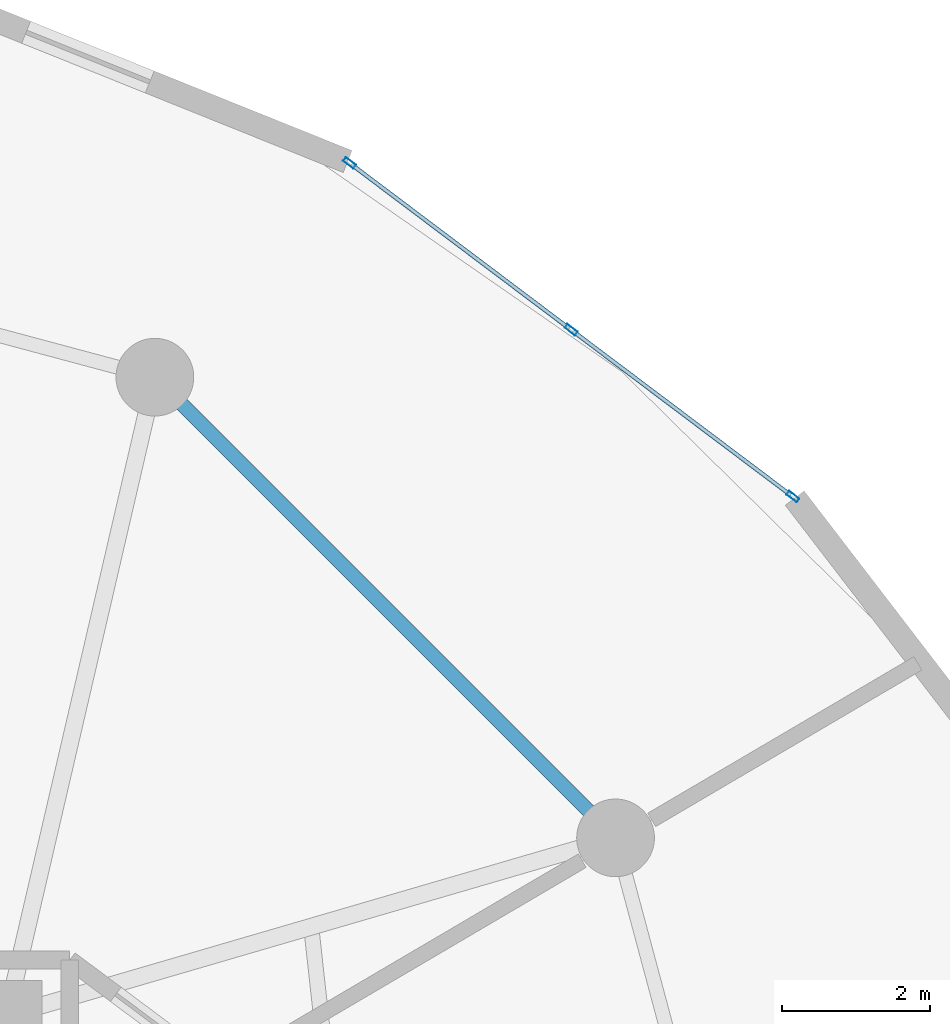
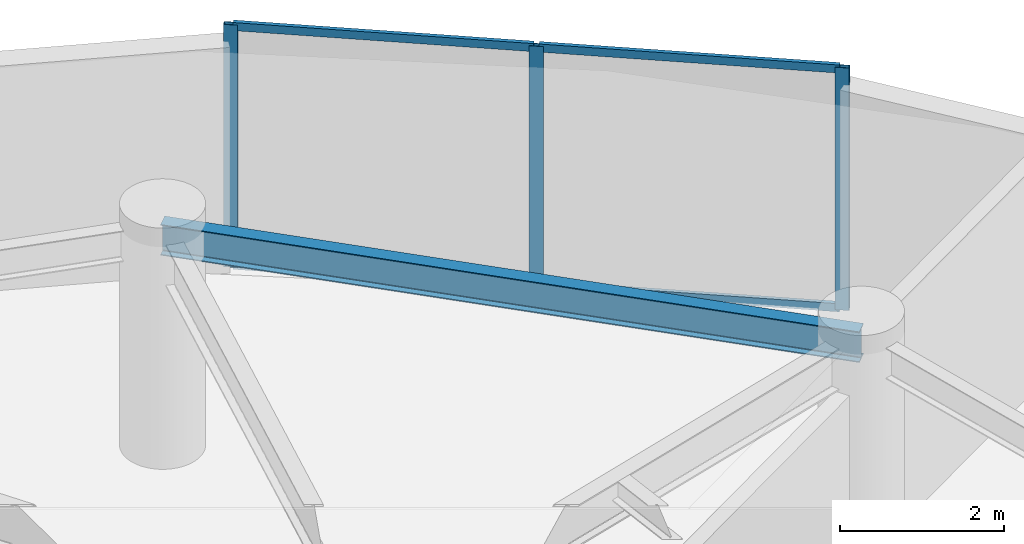
# One storey, part 19 of 25: 7 members, 1 beam, 1 element without a shape of its own.
"""IFC4 building model written with IfcOpenShell, lengths in metres."""

from ifc_helpers import new_model, si_unit, direction, frame, origin, origin_2d, place, context, subcontext, project, spatial, hollow_rectangle, i_section, extrude, source, transform, mapped, material, layer, layer_set, material_profile, profile_set, type_object, element, aggregate, save


model = new_model("IFC4")

# Units and contexts
model_context = context("Model", 3, precision=1e-05, world=origin(), true_north=direction((0.0, 1.0)))
body_context = subcontext(model_context, "Body", "Model", "MODEL_VIEW")
ifc_project = project(units=[si_unit("LENGTHUNIT", "METRE"), si_unit("AREAUNIT", "SQUARE_METRE"), si_unit("VOLUMEUNIT", "CUBIC_METRE"), si_unit("PLANEANGLEUNIT", "RADIAN"), si_unit("MASSUNIT", "GRAM", prefix="KILO")], contexts=[model_context])

# Site, building, storey
site_placement = place(None, origin())
site = spatial("IfcSite", under=ifc_project, at=site_placement, CompositionType="ELEMENT")
building_placement = place(site_placement, origin())
building = spatial("IfcBuilding", under=site, at=building_placement, Name="Solvirekh Grand Hotel", CompositionType="ELEMENT")
storey_placement = place(building_placement, frame((0.0, 0.0, 106.199951171875)))
storey = spatial("IfcBuildingStorey", under=building, at=storey_placement, Name="L26", CompositionType="ELEMENT", Elevation=106.199951171875)

# Beam
ifc_material_1 = material(Name="Steel S355", Category="steel")
ifc_material_profile_1 = material_profile(ifc_material_1, i_section(OverallWidth=0.18994140625, OverallDepth=0.45703125, WebThickness=0.009033203125, FlangeThickness=0.013916015625, FilletRadius=0.012939453125, at=origin_2d()), Name="W460X74")
ifc_profile_set_1 = profile_set([ifc_material_profile_1], Name="Steel S355")
beam_type = type_object("IfcBeamType", Name="Spandrel_Ring_W460", PredefinedType="SPANDREL", material=ifc_profile_set_1)
beam_placement = place(storey_placement, frame((14.721923828125, 8.5, 3.1220703125), z_axis=(-0.707106781187, 0.707106781187, 0.0), x_axis=(-0.707106781187, -0.707106781187, 0.0)))
element("IfcBeam", 1, at=beam_placement, inside=storey, type_object=beam_type, Name="L26 perimeter spandrel beam 2", PredefinedType="SPANDREL", context=body_context, shape_type="SweptSolid", body=[
    extrude(i_section(OverallWidth=0.18994140625, OverallDepth=0.45703125, WebThickness=0.009033203125, FlangeThickness=0.013916015625, FilletRadius=0.012939453125, at=origin_2d()), origin(), (0.0, 0.0, 1.0), 8.799072265625),
])

# Curtain wall, members
ifc_material_2 = material(Name="Anodized Bronze Aluminium 6063-T6", Category="aluminium")
ifc_layer = layer(ifc_material_2, 0.175048828125)
ifc_layer_set = layer_set([ifc_layer], Name="Anodized Bronze Aluminium 6063-T6")
curtain_wall_type = type_object("IfcCurtainWallType", Name="CW_Sys3_MidZoneFlushBronzeCW", PredefinedType="NOTDEFINED", material=ifc_layer_set)
curtain_wall_placement = place(storey_placement, origin())
curtain_wall = element("IfcCurtainWall", 2, at=curtain_wall_placement, inside=storey, type_object=curtain_wall_type, Name="L26 unitised bronze-glass curtain wall CW-L26-C05", PredefinedType="NOTDEFINED")
ifc_material_profile_2 = material_profile(ifc_material_2, hollow_rectangle(XDim=0.054931640625, YDim=0.1201171875, WallThickness=0.00390625, at=origin_2d()), Name="ALU RHS 120X55X4")
ifc_profile_set_2 = profile_set([ifc_material_profile_2], Name="Anodized Bronze Aluminium 6063-T6")
member_type_1 = type_object("IfcMemberType", Name="CWTransom_Sys3", PredefinedType="USERDEFINED", material=ifc_profile_set_2)
shared_shape_1 = source(origin(), body_context, "Body", "SweptSolid", [
    extrude(hollow_rectangle(XDim=0.054931640625, YDim=0.1201171875, WallThickness=0.00390625, at=origin_2d()), origin(), (0.0, 0.0, 1.0), 3.681884765625),
])
member_1_placement = place(storey_placement, frame((17.090087890625, 13.128173828125, 0.027587890625), z_axis=(-0.798940486048, 0.601410092826, 0.0), x_axis=(-0.601410092826, -0.798940486048, 0.0)))
member_1 = element("IfcMember", 3, at=member_1_placement, type_object=member_type_1, Name="U03 transom 1.1", ObjectType="TRANSOM", PredefinedType="USERDEFINED", context=body_context, shape_type="MappedRepresentation", body=[
    mapped(shared_shape_1, transform((0.0, 0.0, 0.0), x_axis=(1.0, 0.0, 0.0), y_axis=(0.0, 1.0, 0.0), z_axis=(0.0, 0.0, 1.0), scale=1.0)),
])
member_2_placement = place(storey_placement, frame((17.090087890625, 13.128173828125, 3.572509765625), z_axis=(-0.798940486048, 0.601410092826, 0.0), x_axis=(-0.601410092826, -0.798940486048, 0.0)))
member_2 = element("IfcMember", 4, at=member_2_placement, type_object=member_type_1, Name="U03 transom 1.2", ObjectType="TRANSOM", PredefinedType="USERDEFINED", context=body_context, shape_type="MappedRepresentation", body=[
    mapped(shared_shape_1, transform((0.0, 0.0, 0.0), x_axis=(1.0, 0.0, 0.0), y_axis=(0.0, 1.0, 0.0), z_axis=(0.0, 0.0, 1.0), scale=1.0)),
])
shared_shape_2 = source(origin(), body_context, "Body", "SweptSolid", [
    extrude(hollow_rectangle(XDim=0.054931640625, YDim=0.1201171875, WallThickness=0.00390625, at=origin_2d()), origin(), (0.0, 0.0, 1.0), 3.681640625),
])
member_3_placement = place(storey_placement, frame((14.096435546875, 15.381591796875, 0.027587890625), z_axis=(-0.798916501068, 0.601441954241, 0.0), x_axis=(-0.601441954241, -0.798916501068, 0.0)))
member_3 = element("IfcMember", 5, at=member_3_placement, type_object=member_type_1, Name="U03 transom 2.1", ObjectType="TRANSOM", PredefinedType="USERDEFINED", context=body_context, shape_type="MappedRepresentation", body=[
    mapped(shared_shape_2, transform((0.0, 0.0, 0.0), x_axis=(1.0, 0.0, 0.0), y_axis=(0.0, 1.0, 0.0), z_axis=(0.0, 0.0, 1.0), scale=1.0)),
])
member_4_placement = place(storey_placement, frame((14.096435546875, 15.381591796875, 3.572509765625), z_axis=(-0.798916501068, 0.601441954241, 0.0), x_axis=(-0.601441954241, -0.798916501068, 0.0)))
member_4 = element("IfcMember", 6, at=member_4_placement, type_object=member_type_1, Name="U03 transom 2.2", ObjectType="TRANSOM", PredefinedType="USERDEFINED", context=body_context, shape_type="MappedRepresentation", body=[
    mapped(shared_shape_2, transform((0.0, 0.0, 0.0), x_axis=(1.0, 0.0, 0.0), y_axis=(0.0, 1.0, 0.0), z_axis=(0.0, 0.0, 1.0), scale=1.0)),
])
ifc_material_profile_3 = material_profile(ifc_material_2, hollow_rectangle(XDim=0.06494140625, YDim=0.175048828125, WallThickness=0.0048828125, at=origin_2d()), Name="ALU RHS 175X65X5")
ifc_profile_set_3 = profile_set([ifc_material_profile_3], Name="Anodized Bronze Aluminium 6063-T6")
member_type_2 = type_object("IfcMemberType", Name="CWMullion_Sys3", PredefinedType="MULLION", material=ifc_profile_set_3)
shared_shape_3 = source(origin(), body_context, "Body", "SweptSolid", [
    extrude(hollow_rectangle(XDim=0.06494140625, YDim=0.175048828125, WallThickness=0.0048828125, at=origin_2d()), origin(), (0.0, 0.0, 1.0), 3.60009765625),
])
member_5_placement = place(storey_placement, frame((17.115966796875, 13.108642578125, 0.0), z_axis=(0.0, 0.0, 1.0), x_axis=(-0.601417269489, -0.798935083696, 0.0)))
member_5 = element("IfcMember", 7, at=member_5_placement, type_object=member_type_2, Name="U03 mullion 1", PredefinedType="MULLION", context=body_context, shape_type="MappedRepresentation", body=[
    mapped(shared_shape_3, transform((0.0, 0.0, 0.0), x_axis=(1.0, 0.0, 0.0), y_axis=(0.0, 1.0, 0.0), z_axis=(0.0, 0.0, 1.0), scale=1.0)),
])
member_6_placement = place(storey_placement, frame((14.12255859375, 15.362060546875, 0.0), z_axis=(0.0, 0.0, 1.0), x_axis=(-0.601417269489, -0.798935083696, 0.0)))
member_6 = element("IfcMember", 8, at=member_6_placement, type_object=member_type_2, Name="U03 mullion 2", PredefinedType="MULLION", context=body_context, shape_type="MappedRepresentation", body=[
    mapped(shared_shape_3, transform((0.0, 0.0, 0.0), x_axis=(1.0, 0.0, 0.0), y_axis=(0.0, 1.0, 0.0), z_axis=(0.0, 0.0, 1.0), scale=1.0)),
])
member_7_placement = place(storey_placement, frame((11.12890625, 17.615478515625, 0.0), z_axis=(0.0, 0.0, 1.0), x_axis=(-0.601417269489, -0.798935083696, 0.0)))
member_7 = element("IfcMember", 9, at=member_7_placement, type_object=member_type_2, Name="U03 mullion 3", PredefinedType="MULLION", context=body_context, shape_type="MappedRepresentation", body=[
    mapped(shared_shape_3, transform((0.0, 0.0, 0.0), x_axis=(1.0, 0.0, 0.0), y_axis=(0.0, 1.0, 0.0), z_axis=(0.0, 0.0, 1.0), scale=1.0)),
])
aggregate(curtain_wall, [member_5, member_6, member_7, member_1, member_2, member_3, member_4])

save(model, "model.ifc")
